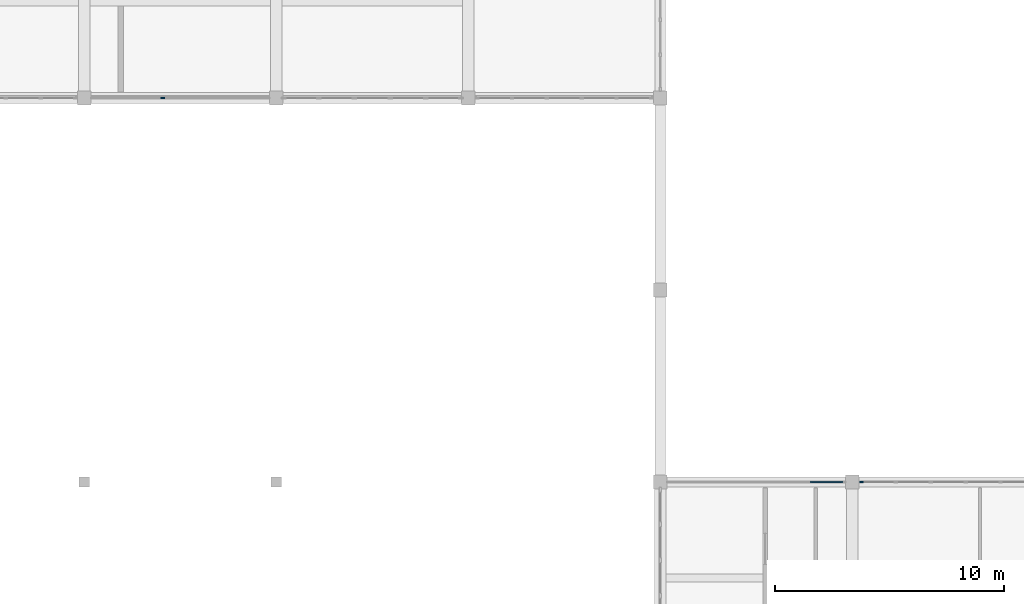
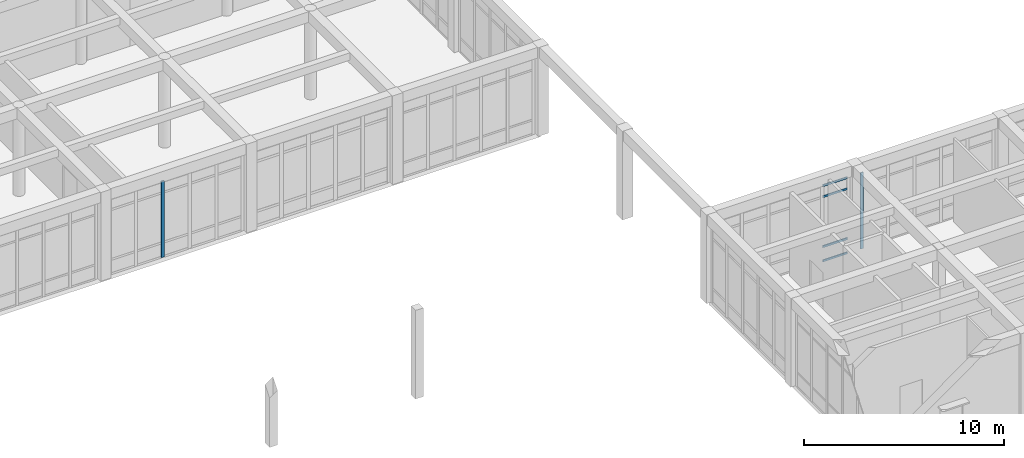
# One storey, part 14 of 89: 6 members, 3 elements without a shape of their own.
"""IFC4 building model written with IfcOpenShell, lengths in metres."""

from ifc_helpers import new_model, si_unit, direction, frame, origin, origin_2d, place, context, subcontext, project, spatial, rectangle, extrude, material, material_profile, profile_set, type_object, element, aggregate, save


model = new_model("IFC4")

# Units and contexts
model_context = context("Model", 3, precision=1e-05, world=origin(), true_north=direction((0.0, 1.0)))
body_context = subcontext(model_context, "Body", "Model", "MODEL_VIEW")
ifc_project = project(units=[si_unit("LENGTHUNIT", "METRE"), si_unit("AREAUNIT", "SQUARE_METRE"), si_unit("VOLUMEUNIT", "CUBIC_METRE"), si_unit("PLANEANGLEUNIT", "RADIAN"), si_unit("MASSUNIT", "GRAM", prefix="KILO")], contexts=[model_context])

# Site, building, storey
site_placement = place(None, origin())
site = spatial("IfcSite", under=ifc_project, at=site_placement, CompositionType="ELEMENT")
building_placement = place(site_placement, origin())
building = spatial("IfcBuilding", under=site, at=building_placement, Name="Varncliffe General Hospital", CompositionType="ELEMENT")
storey_placement = place(building_placement, frame((0.0, 0.0, 10.800048828125)))
storey = spatial("IfcBuildingStorey", under=building, at=storey_placement, Name="L02", CompositionType="ELEMENT", Elevation=10.800048828125)

# Curtain wall, member
ifc_material_1 = material(Name="Triple low-E argon insulated vision glazing", Category="glass")
curtain_wall_type_1 = type_object("IfcCurtainWallType", Name="Unitised Glazed Curtain Wall CW70 (7724x4640)", PredefinedType="USERDEFINED", material=ifc_material_1)
curtain_wall_1_placement = place(storey_placement, origin())
curtain_wall_1 = element("IfcCurtainWall", 1, at=curtain_wall_1_placement, inside=storey, type_object=curtain_wall_type_1, Name="L02 Glazed Curtain Wall CW70-136", ObjectType="GLAZED CURTAIN WALL", PredefinedType="USERDEFINED")
ifc_material_2 = material(Name="Dark bronze thermally broken aluminium framing", Category="aluminium")
ifc_material_profile_1 = material_profile(ifc_material_2, rectangle(XDim=0.074951171875, YDim=0.179931640625, at=origin_2d()), Name="ALU 75x180")
ifc_profile_set_1 = profile_set([ifc_material_profile_1], Name="Dark bronze thermally broken aluminium framing")
member_type_1 = type_object("IfcMemberType", Name="Curtain Wall Mullion CM44 (ALU 75x180)", PredefinedType="MULLION", material=ifc_profile_set_1)
member_1_placement = place(storey_placement, frame((95.82763671875, 57.60009765625, 0.0), z_axis=(0.0, 0.0, 1.0), x_axis=(0.0, -1.0, 0.0)))
member_1 = element("IfcMember", 2, at=member_1_placement, type_object=member_type_1, Name="CW70 mullion 4", PredefinedType="MULLION", context=body_context, shape_type="SweptSolid", body=[
    extrude(rectangle(XDim=0.074951171875, YDim=0.179931640625, at=origin_2d()), origin(), (0.0, 0.0, 1.0), 4.639892578125),
])
aggregate(curtain_wall_1, [member_1])

curtain_wall_type_2 = type_object("IfcCurtainWallType", Name="Unitised Glazed Curtain Wall CW27 (7644x4640)", PredefinedType="USERDEFINED", material=ifc_material_1)
curtain_wall_2_placement = place(storey_placement, origin())
curtain_wall_2 = element("IfcCurtainWall", 3, at=curtain_wall_2_placement, inside=storey, type_object=curtain_wall_type_2, Name="L02 Glazed Curtain Wall CW27-119", ObjectType="GLAZED CURTAIN WALL", PredefinedType="USERDEFINED")
ifc_material_profile_2 = material_profile(ifc_material_2, rectangle(XDim=0.06494140625, YDim=0.159912109375, at=origin_2d()), Name="ALU 65x160")
ifc_profile_set_2 = profile_set([ifc_material_profile_2], Name="Dark bronze thermally broken aluminium framing")
member_type_2 = type_object("IfcMemberType", Name="Curtain Wall Mullion CM65 (ALU 65x160)", PredefinedType="MULLION", material=ifc_profile_set_2)
member_2_placement = place(storey_placement, frame((126.410400390625, 40.800048828125, 0.0), z_axis=(0.0, 0.0, 1.0), x_axis=(0.0, 1.0, 0.0)))
member_2 = element("IfcMember", 4, at=member_2_placement, type_object=member_type_2, Name="CW27 mullion 1", PredefinedType="MULLION", context=body_context, shape_type="SweptSolid", body=[
    extrude(rectangle(XDim=0.06494140625, YDim=0.159912109375, at=origin_2d()), origin(), (0.0, 0.0, 1.0), 4.639892578125),
])
aggregate(curtain_wall_2, [member_2])

# Curtain wall, members
curtain_wall_3_placement = place(storey_placement, origin())
curtain_wall_3 = element("IfcCurtainWall", 5, at=curtain_wall_3_placement, inside=storey, type_object=curtain_wall_type_1, Name="L02 Glazed Curtain Wall CW70-118", ObjectType="GLAZED CURTAIN WALL", PredefinedType="USERDEFINED")
ifc_material_profile_3 = material_profile(ifc_material_2, rectangle(XDim=0.06005859375, YDim=0.1201171875, at=origin_2d()), Name="ALU 60x120")
ifc_profile_set_3 = profile_set([ifc_material_profile_3], Name="Dark bronze thermally broken aluminium framing")
member_type_3 = type_object("IfcMemberType", Name="Curtain Wall Transom CT14 (ALU 60x120)", PredefinedType="USERDEFINED", material=ifc_profile_set_3)
member_3_placement = place(storey_placement, frame((124.15478515625, 40.800048828125, 0.030029296875), z_axis=(1.0, 0.0, 0.0), x_axis=(0.0, 1.0, 0.0)))
member_3 = element("IfcMember", 6, at=member_3_placement, type_object=member_type_3, Name="CW70 transom 5.1", ObjectType="TRANSOM", PredefinedType="USERDEFINED", context=body_context, shape_type="SweptSolid", body=[
    extrude(rectangle(XDim=0.06005859375, YDim=0.1201171875, at=origin_2d()), origin(), (0.0, 0.0, 1.0), 1.43212890625),
])
member_4_placement = place(storey_placement, frame((124.15478515625, 40.800048828125, 0.89990234375), z_axis=(1.0, 0.0, 0.0), x_axis=(0.0, 1.0, 0.0)))
member_4 = element("IfcMember", 7, at=member_4_placement, type_object=member_type_3, Name="CW70 transom 5.2", ObjectType="TRANSOM", PredefinedType="USERDEFINED", context=body_context, shape_type="SweptSolid", body=[
    extrude(rectangle(XDim=0.06005859375, YDim=0.1201171875, at=origin_2d()), origin(), (0.0, 0.0, 1.0), 1.43212890625),
])
member_5_placement = place(storey_placement, frame((124.15478515625, 40.800048828125, 3.93994140625), z_axis=(1.0, 0.0, 0.0), x_axis=(0.0, 1.0, 0.0)))
member_5 = element("IfcMember", 8, at=member_5_placement, type_object=member_type_3, Name="CW70 transom 5.3", ObjectType="TRANSOM", PredefinedType="USERDEFINED", context=body_context, shape_type="SweptSolid", body=[
    extrude(rectangle(XDim=0.06005859375, YDim=0.1201171875, at=origin_2d()), origin(), (0.0, 0.0, 1.0), 1.43212890625),
])
member_6_placement = place(storey_placement, frame((124.15478515625, 40.800048828125, 4.60986328125), z_axis=(1.0, 0.0, 0.0), x_axis=(0.0, 1.0, 0.0)))
member_6 = element("IfcMember", 9, at=member_6_placement, type_object=member_type_3, Name="CW70 transom 5.4", ObjectType="TRANSOM", PredefinedType="USERDEFINED", context=body_context, shape_type="SweptSolid", body=[
    extrude(rectangle(XDim=0.06005859375, YDim=0.1201171875, at=origin_2d()), origin(), (0.0, 0.0, 1.0), 1.43212890625),
])
aggregate(curtain_wall_3, [member_3, member_4, member_5, member_6])

save(model, "model.ifc")
